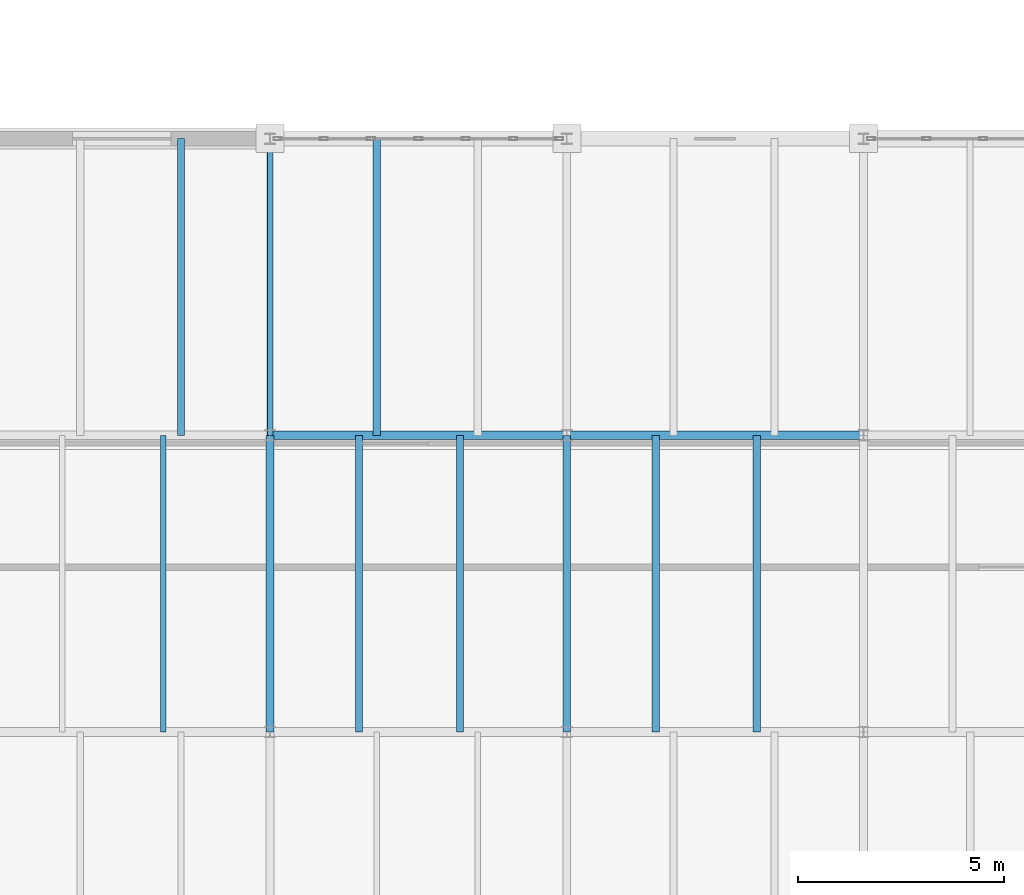
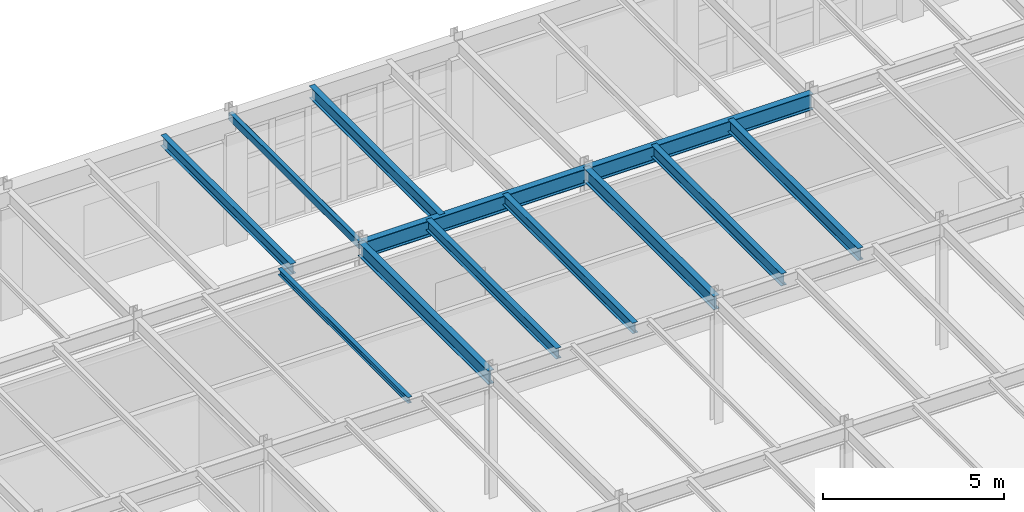
# One storey, part 53 of 137: 12 beams.
"""IFC4 building model written with IfcOpenShell, lengths in metres."""

import ifcopenshell
import ifcopenshell.guid

model = None  # the IFC model being written
_history = None  # IfcOwnerHistory: only IFC2X3 demands one
_inside = {}  # id of a spatial element -> (the spatial element, [elements in it])
_under = {}  # id of a project, library or spatial element -> (it, [spatial elements below it])
_declared = {}  # id of a project -> (the project, [libraries it declares])
_typed = {}  # id of a type object -> (the type object, [elements of that type])
_made_of = {}  # id of a material, layer set ... -> (it, [elements and type objects made of it])


def new_model(schema):
    """Start an empty IFC model of exactly this schema.

    Asked for "IFC4X3", IfcOpenShell would pick the latest addendum, in which some entities
    have other attributes; the version numbers below select the first issue.
    IFC2X3 requires an IfcOwnerHistory on every rooted entity: one is made here for all.
    """
    global model, _history
    if schema == "IFC4X3":
        model = ifcopenshell.file(schema_version=(4, 3, 0, 0))
    else:
        model = ifcopenshell.file(schema=schema)
    _inside.clear()
    _under.clear()
    _declared.clear()
    _typed.clear()
    _made_of.clear()
    _history = None
    if model.schema == "IFC2X3":
        org = make("IfcOrganization", Name="unknown")
        user = make(
            "IfcPersonAndOrganization",
            ThePerson=make("IfcPerson", FamilyName="unknown"),
            TheOrganization=org,
        )
        app = make(
            "IfcApplication",
            ApplicationDeveloper=org,
            Version="unknown",
            ApplicationFullName="unknown",
            ApplicationIdentifier="unknown",
        )
        _history = make(
            "IfcOwnerHistory",
            OwningUser=user,
            OwningApplication=app,
            ChangeAction="ADDED",
            CreationDate=0,
        )
    return model


def make(cls, **values):
    """One entity of the class cls with the attributes given. An attribute that is None is left unset."""
    return model.create_entity(
        cls, **{name: value for name, value in values.items() if value is not None}
    )


def rooted(cls, **values):
    """An entity with a GlobalId (a new one), such as an element, a storey or a relation."""
    return make(cls, GlobalId=ifcopenshell.guid.new(), OwnerHistory=_history, **values)


def si_unit(unit_type, name, prefix=None):
    """IfcSIUnit, for example si_unit("LENGTHUNIT", "METRE", prefix="MILLI")."""
    return make("IfcSIUnit", UnitType=unit_type, Prefix=prefix, Name=name)


def assignment(units):
    """IfcUnitAssignment: the units of a project."""
    return None if units is None else make("IfcUnitAssignment", Units=units)


def point(xyz):
    """IfcCartesianPoint."""
    return None if xyz is None else make("IfcCartesianPoint", Coordinates=xyz)


def direction(xyz):
    """IfcDirection."""
    return None if xyz is None else make("IfcDirection", DirectionRatios=xyz)


def frame(location, z_axis=None, x_axis=None):
    """IfcAxis2Placement3D, a coordinate frame: its origin and axes. An axis left out is left unset."""
    return make(
        "IfcAxis2Placement3D",
        Location=point(location),
        Axis=direction(z_axis),
        RefDirection=direction(x_axis),
    )


def frame_2d(location, x_axis=None):
    """IfcAxis2Placement2D, a coordinate frame in the plane: its origin and x axis."""
    return make(
        "IfcAxis2Placement2D", Location=point(location), RefDirection=direction(x_axis)
    )


def origin():
    """The frame at (0, 0, 0) with its axes left unset."""
    return frame((0.0, 0.0, 0.0))


def origin_2d():
    """The frame at (0, 0) in the plane with its x axis left unset."""
    return frame_2d((0.0, 0.0))


def place(relative_to, where):
    """IfcLocalPlacement: puts the frame where relative to a parent placement (None: the world)."""
    return make(
        "IfcLocalPlacement", PlacementRelTo=relative_to, RelativePlacement=where
    )


def context(
    kind, dimensions, precision=None, world=None, true_north=None, identifier=None
):
    """IfcGeometricRepresentationContext, for example the 3D "Model" context."""
    return make(
        "IfcGeometricRepresentationContext",
        ContextIdentifier=identifier,
        ContextType=kind,
        CoordinateSpaceDimension=dimensions,
        Precision=precision,
        WorldCoordinateSystem=world,
        TrueNorth=true_north,
    )


def subcontext(parent, identifier, kind, view, scale=None):
    """IfcGeometricRepresentationSubContext, for example "Body" below "Model"."""
    return make(
        "IfcGeometricRepresentationSubContext",
        ContextIdentifier=identifier,
        ContextType=kind,
        ParentContext=parent,
        TargetScale=scale,
        TargetView=view,
    )


def project(units=None, contexts=None):
    """IfcProject with its units and contexts."""
    return rooted(
        "IfcProject",
        Name="project",
        RepresentationContexts=contexts,
        UnitsInContext=assignment(units),
    )


def spatial(cls, under=None, at=None, **own):
    """A site, building, storey or space (cls), placed at a placement, below another one or the project."""
    s = rooted(cls, ObjectPlacement=at, **own)
    if under is not None:
        _under.setdefault(under.id(), (under, []))[1].append(s)
    return s


def profile(cls, at=None, kind="AREA", **sizes):
    """A parametric profile (cls). Its sizes go by their IFC names, for example OverallWidth=200.0."""
    return make(cls, ProfileType=kind, Position=at, **sizes)


def hollow_rectangle(**sizes):
    """IfcRectangleHollowProfileDef."""
    return profile("IfcRectangleHollowProfileDef", **sizes)


def i_section(**sizes):
    """IfcIShapeProfileDef."""
    return profile("IfcIShapeProfileDef", **sizes)


def extrude(swept, where, along, depth):
    """IfcExtrudedAreaSolid: the profile swept, set in the frame where, extruded along a direction by depth."""
    return make(
        "IfcExtrudedAreaSolid",
        SweptArea=swept,
        Position=where,
        ExtrudedDirection=direction(along),
        Depth=depth,
    )


def shape(context_of_items, identifier, shape_type, items):
    """IfcShapeRepresentation: the items that make up one representation, for example the "Body"."""
    return make(
        "IfcShapeRepresentation",
        ContextOfItems=context_of_items,
        RepresentationIdentifier=identifier,
        RepresentationType=shape_type,
        Items=items,
    )


def material(Name=None, Category=None):
    """IfcMaterial."""
    return make("IfcMaterial", Name=Name, Category=Category)


def material_profile(
    of_material, cross_section, Name=None, Category=None, Priority=None
):
    """IfcMaterialProfile: a cross section and its material."""
    return make(
        "IfcMaterialProfile",
        Name=Name,
        Material=of_material,
        Profile=cross_section,
        Priority=Priority,
        Category=Category,
    )


def profile_set(profiles, Name=None, composite=None):
    """IfcMaterialProfileSet."""
    return make(
        "IfcMaterialProfileSet",
        Name=Name,
        MaterialProfiles=profiles,
        CompositeProfile=composite,
    )


def made_of(thing, what):
    """Note that an element or type object is made of a material, layer set ...; save() writes the relation."""
    if what is not None:
        _made_of.setdefault(what.id(), (what, []))[1].append(thing)
    return thing


def type_object(cls, material=None, **own):
    """A type object (cls), such as IfcWallType, which elements share."""
    return made_of(rooted(cls, **own), material)


def element(
    cls,
    number,
    at=None,
    inside=None,
    cuts=None,
    type_object=None,
    material=None,
    context=None,
    identifier="Body",
    shape_type=None,
    held_by="IfcProductDefinitionShape",
    body=None,
    shapes=None,
    **own,
):
    """One element of the class cls, such as IfcWall. Its Tag is "e" and its number.

    at: its placement. inside: the storey or other place that contains it. cuts: it is an
    opening in that element (IfcRelVoidsElement). A single representation is given by context,
    identifier, shape_type and body (its items); several are given by shapes. held_by: the class
    of the entity that holds the representations. save() writes the other relations.
    """
    e = rooted(cls, Tag="e%d" % number, ObjectPlacement=at, **own)
    if body is not None:
        shapes = [shape(context, identifier, shape_type, body)]
    if shapes is not None:
        e.Representation = make(held_by, Representations=shapes)
    if inside is not None:
        _inside.setdefault(inside.id(), (inside, []))[1].append(e)
    if cuts is not None:
        rooted(
            "IfcRelVoidsElement", RelatingBuildingElement=cuts, RelatedOpeningElement=e
        )
    if type_object is not None:
        _typed.setdefault(type_object.id(), (type_object, []))[1].append(e)
    return made_of(e, material)


def aggregate(whole, parts):
    """IfcRelAggregates: a whole, such as a stair, and the parts it consists of."""
    return rooted("IfcRelAggregates", RelatingObject=whole, RelatedObjects=parts)


def save(model, path):
    """Write the relations noted so far, then the file.

    IfcRelAggregates (storeys below a building ...), IfcRelContainedInSpatialStructure (elements
    in a storey), IfcRelDefinesByType, IfcRelAssociatesMaterial and IfcRelDeclares: one each for
    every whole, place, type object, material and project.
    """
    for whole, parts in _under.values():
        aggregate(whole, parts)
    for where, things in _inside.values():
        rooted(
            "IfcRelContainedInSpatialStructure",
            RelatedElements=things,
            RelatingStructure=where,
        )
    for kind, things in _typed.values():
        rooted("IfcRelDefinesByType", RelatedObjects=things, RelatingType=kind)
    for what, things in _made_of.values():
        rooted("IfcRelAssociatesMaterial", RelatedObjects=things, RelatingMaterial=what)
    for by, libraries in _declared.values():
        rooted("IfcRelDeclares", RelatingContext=by, RelatedDefinitions=libraries)
    model.write(path)


model = new_model("IFC4")

# Units and contexts
model_context = context("Model", 3, precision=1e-05, world=origin(), true_north=direction((0.0, 1.0)))
body_context = subcontext(model_context, "Body", "Model", "MODEL_VIEW")
ifc_project = project(units=[si_unit("LENGTHUNIT", "METRE"), si_unit("AREAUNIT", "SQUARE_METRE"), si_unit("VOLUMEUNIT", "CUBIC_METRE"), si_unit("PLANEANGLEUNIT", "RADIAN"), si_unit("MASSUNIT", "GRAM", prefix="KILO")], contexts=[model_context])

# Site, building, storey
site_placement = place(None, origin())
site = spatial("IfcSite", under=ifc_project, at=site_placement, CompositionType="ELEMENT")
building_placement = place(site_placement, origin())
building = spatial("IfcBuilding", under=site, at=building_placement, Name="Kemerveld Promenade Tramway Depot", CompositionType="ELEMENT")
storey_placement = place(building_placement, frame((0.0, 0.0, 5.39990234375)))
storey = spatial("IfcBuildingStorey", under=building, at=storey_placement, Name="L01", CompositionType="ELEMENT", Elevation=5.39990234375)

# Beams
ifc_material = material(Name="Steel S355", Category="steel")
ifc_material_profile_1 = material_profile(ifc_material, i_section(OverallWidth=0.2099609375, OverallDepth=0.53662109375, WebThickness=0.0107421875, FlangeThickness=0.017333984375, FilletRadius=0.0126953125, at=origin_2d()), Name="533x210x101 UB")
ifc_profile_set_1 = profile_set([ifc_material_profile_1], Name="Steel S355")
beam_type_1 = type_object("IfcBeamType", Name="BM-G05", PredefinedType="BEAM", material=ifc_profile_set_1)
beam_1_placement = place(storey_placement, frame((115.199951171875, 21.60009765625, 3.981689453125), z_axis=(1.0, 0.0, 0.0), x_axis=(0.0, 1.0, 0.0)))
element("IfcBeam", 1, at=beam_1_placement, inside=storey, type_object=beam_type_1, Name="BMX-L01-17-18-D", PredefinedType="BEAM", context=body_context, shape_type="SweptSolid", body=[
    extrude(i_section(OverallWidth=0.2099609375, OverallDepth=0.53662109375, WebThickness=0.0107421875, FlangeThickness=0.017333984375, FilletRadius=0.0126953125, at=origin_2d()), origin(), (0.0, 0.0, 1.0), 7.199951171875),
])
beam_2_placement = place(storey_placement, frame((122.39990234375, 21.60009765625, 3.981689453125), z_axis=(1.0, 0.0, 0.0), x_axis=(0.0, 1.0, 0.0)))
element("IfcBeam", 2, at=beam_2_placement, inside=storey, type_object=beam_type_1, Name="BMX-L01-18-19-D", PredefinedType="BEAM", context=body_context, shape_type="SweptSolid", body=[
    extrude(i_section(OverallWidth=0.2099609375, OverallDepth=0.53662109375, WebThickness=0.0107421875, FlangeThickness=0.017333984375, FilletRadius=0.0126953125, at=origin_2d()), origin(), (0.0, 0.0, 1.0), 7.2001953125),
])
ifc_material_profile_2 = material_profile(ifc_material, i_section(OverallWidth=0.19140625, OverallDepth=0.4599609375, WebThickness=0.010009765625, FlangeThickness=0.01611328125, FilletRadius=0.01025390625, at=origin_2d()), Name="457x191x82 UB")
ifc_profile_set_2 = profile_set([ifc_material_profile_2], Name="Steel S355")
beam_type_2 = type_object("IfcBeamType", Name="BM-G06", PredefinedType="BEAM", material=ifc_profile_set_2)
for number, where, z_axis, x_axis, name in (
    (3, (115.199951171875, 14.39990234375, 4.02001953125), (0.0, 1.0, 0.0), (-1.0, 0.0, 0.0), "BMY-L01-17-C-D"),
    (4, (122.39990234375, 14.39990234375, 4.02001953125), (0.0, 1.0, 0.0), (-1.0, 0.0, 0.0), "BMY-L01-18-C-D"),
):
    element("IfcBeam", number, at=place(storey_placement, frame(where, z_axis=z_axis, x_axis=x_axis)), inside=storey, type_object=beam_type_2, Name=name, PredefinedType="BEAM", context=body_context, shape_type="SweptSolid", body=[
        extrude(i_section(OverallWidth=0.19140625, OverallDepth=0.4599609375, WebThickness=0.010009765625, FlangeThickness=0.01611328125, FilletRadius=0.01025390625, at=origin_2d()), origin(), (0.0, 0.0, 1.0), 7.2001953125),
    ])
ifc_material_profile_3 = material_profile(ifc_material, i_section(OverallWidth=0.13330078125, OverallDepth=0.203125, WebThickness=0.005615234375, FlangeThickness=0.0078125, FilletRadius=0.007568359375, at=origin_2d()), Name="203x133x25 UB")
ifc_profile_set_3 = profile_set([ifc_material_profile_3], Name="Steel S355")
beam_type_3 = type_object("IfcBeamType", Name="BM-J03", PredefinedType="JOIST", material=ifc_profile_set_3)
beam_3_placement = place(storey_placement, frame((112.60791015625, 14.39990234375, 4.1484375), z_axis=(0.0, 1.0, 0.0), x_axis=(-1.0, 0.0, 0.0)))
element("IfcBeam", 5, at=beam_3_placement, inside=storey, type_object=beam_type_3, Name="JST-L01-16-C-2", PredefinedType="JOIST", context=body_context, shape_type="SweptSolid", body=[
    extrude(i_section(OverallWidth=0.13330078125, OverallDepth=0.203125, WebThickness=0.005615234375, FlangeThickness=0.0078125, FilletRadius=0.007568359375, at=origin_2d()), origin(), (0.0, 0.0, 1.0), 7.2001953125),
])
ifc_material_profile_4 = material_profile(ifc_material, i_section(OverallWidth=0.172119140625, OverallDepth=0.35791015625, WebThickness=0.008056640625, FlangeThickness=0.012939453125, FilletRadius=0.01025390625, at=origin_2d()), Name="356x171x57 UB")
ifc_profile_set_4 = profile_set([ifc_material_profile_4], Name="Steel S355")
beam_type_4 = type_object("IfcBeamType", Name="BM-J04", PredefinedType="JOIST", material=ifc_profile_set_4)
beam_4_placement = place(storey_placement, frame((113.0400390625, 21.60009765625, 4.071044921875), z_axis=(0.0, 1.0, 0.0), x_axis=(-1.0, 0.0, 0.0)))
element("IfcBeam", 6, at=beam_4_placement, inside=storey, type_object=beam_type_4, Name="JST-L01-16-D-2", PredefinedType="JOIST", context=body_context, shape_type="SweptSolid", body=[
    extrude(i_section(OverallWidth=0.172119140625, OverallDepth=0.35791015625, WebThickness=0.008056640625, FlangeThickness=0.012939453125, FilletRadius=0.01025390625, at=origin_2d()), origin(), (0.0, 0.0, 1.0), 7.199951171875),
])
for number, where, z_axis, x_axis, name in (
    (7, (117.360107421875, 14.39990234375, 4.071044921875), (0.0, 1.0, 0.0), (-1.0, 0.0, 0.0), "JST-L01-17-C-1"),
    (8, (119.80810546875, 14.39990234375, 4.071044921875), (0.0, 1.0, 0.0), (-1.0, 0.0, 0.0), "JST-L01-17-C-2"),
):
    element("IfcBeam", number, at=place(storey_placement, frame(where, z_axis=z_axis, x_axis=x_axis)), inside=storey, type_object=beam_type_4, Name=name, PredefinedType="JOIST", context=body_context, shape_type="SweptSolid", body=[
        extrude(i_section(OverallWidth=0.172119140625, OverallDepth=0.35791015625, WebThickness=0.008056640625, FlangeThickness=0.012939453125, FilletRadius=0.01025390625, at=origin_2d()), origin(), (0.0, 0.0, 1.0), 7.2001953125),
    ])
ifc_material_profile_5 = material_profile(ifc_material, i_section(OverallWidth=0.1787109375, OverallDepth=0.409423828125, WebThickness=0.0087890625, FlangeThickness=0.014404296875, FilletRadius=0.01025390625, at=origin_2d()), Name="406x178x67 UB")
ifc_profile_set_5 = profile_set([ifc_material_profile_5], Name="Steel S355")
beam_type_5 = type_object("IfcBeamType", Name="BM-J05", PredefinedType="JOIST", material=ifc_profile_set_5)
beam_5_placement = place(storey_placement, frame((117.7919921875, 21.60009765625, 4.04541015625), z_axis=(0.0, 1.0, 0.0), x_axis=(-1.0, 0.0, 0.0)))
element("IfcBeam", 9, at=beam_5_placement, inside=storey, type_object=beam_type_5, Name="JST-L01-17-D-1", PredefinedType="JOIST", context=body_context, shape_type="SweptSolid", body=[
    extrude(i_section(OverallWidth=0.1787109375, OverallDepth=0.409423828125, WebThickness=0.0087890625, FlangeThickness=0.014404296875, FilletRadius=0.01025390625, at=origin_2d()), origin(), (0.0, 0.0, 1.0), 7.199951171875),
])
for number, where, z_axis, x_axis, name in (
    (10, (124.56005859375, 14.39990234375, 4.04541015625), (0.0, 1.0, 0.0), (-1.0, 0.0, 0.0), "JST-L01-18-C-1"),
    (11, (127.008056640625, 14.39990234375, 4.04541015625), (0.0, 1.0, 0.0), (-1.0, 0.0, 0.0), "JST-L01-18-C-2"),
):
    element("IfcBeam", number, at=place(storey_placement, frame(where, z_axis=z_axis, x_axis=x_axis)), inside=storey, type_object=beam_type_5, Name=name, PredefinedType="JOIST", context=body_context, shape_type="SweptSolid", body=[
        extrude(i_section(OverallWidth=0.1787109375, OverallDepth=0.409423828125, WebThickness=0.0087890625, FlangeThickness=0.014404296875, FilletRadius=0.01025390625, at=origin_2d()), origin(), (0.0, 0.0, 1.0), 7.2001953125),
    ])
ifc_material_profile_6 = material_profile(ifc_material, hollow_rectangle(XDim=0.14990234375, YDim=0.25, WallThickness=0.010009765625, InnerFilletRadius=0.0048828125, OuterFilletRadius=0.014892578125, at=origin_2d()), Name="250x150x10.0 RHS")
ifc_profile_set_6 = profile_set([ifc_material_profile_6], Name="Steel S355")
beam_type_6 = type_object("IfcBeamType", Name="BM-SP2", PredefinedType="SPANDREL", material=ifc_profile_set_6)
beam_6_placement = place(storey_placement, frame((115.199951171875, 21.60009765625, 4.125), z_axis=(0.0, 1.0, 0.0), x_axis=(-1.0, 0.0, 0.0)))
element("IfcBeam", 12, at=beam_6_placement, inside=storey, type_object=beam_type_6, Name="BMY-L01-17-D-E", PredefinedType="SPANDREL", context=body_context, shape_type="SweptSolid", body=[
    extrude(hollow_rectangle(XDim=0.14990234375, YDim=0.25, WallThickness=0.010009765625, InnerFilletRadius=0.0048828125, OuterFilletRadius=0.014892578125, at=origin_2d()), origin(), (0.0, 0.0, 1.0), 7.199951171875),
])

save(model, "model.ifc")
